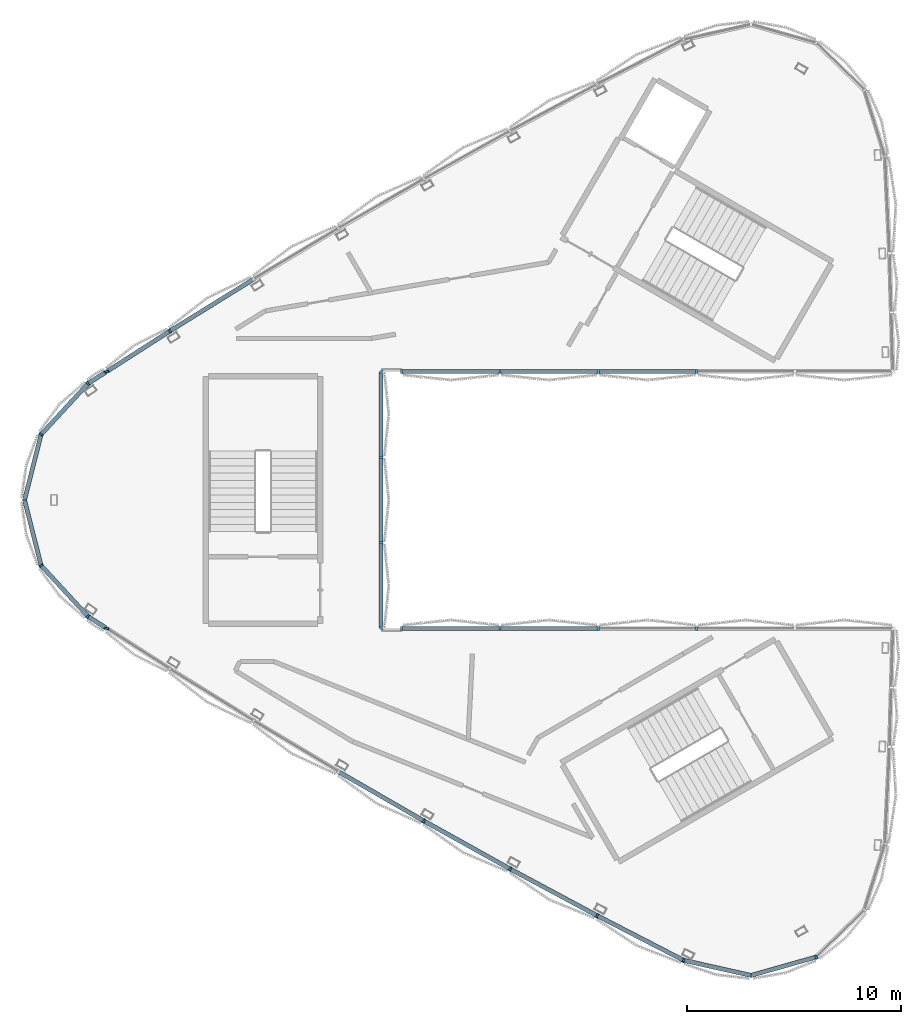
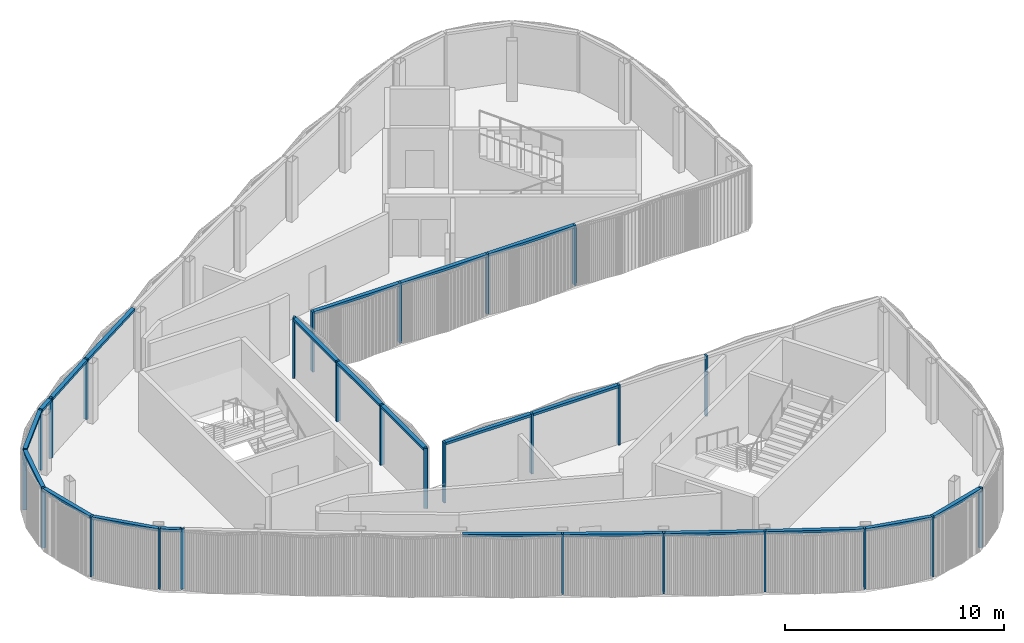
# One storey, part 3 of 16: 43 members, 3 elements without a shape of their own.
"""IFC4 building model written with IfcOpenShell, lengths in metres."""

from ifc_helpers import new_model, si_unit, direction, frame, origin, origin_2d, place, context, subcontext, project, spatial, rectangle, extrude, material, material_profile, profile_set, type_object, element, aggregate, save


model = new_model("IFC4")

# Units and contexts
model_context = context("Model", 3, precision=1e-05, world=origin(), true_north=direction((0.0, 1.0)))
body_context = subcontext(model_context, "Body", "Model", "MODEL_VIEW")
ifc_project = project(units=[si_unit("LENGTHUNIT", "METRE"), si_unit("AREAUNIT", "SQUARE_METRE"), si_unit("VOLUMEUNIT", "CUBIC_METRE"), si_unit("PLANEANGLEUNIT", "RADIAN"), si_unit("MASSUNIT", "GRAM", prefix="KILO")], contexts=[model_context])

# Site, building, storey
site_placement = place(None, origin())
site = spatial("IfcSite", under=ifc_project, at=site_placement, CompositionType="ELEMENT")
building_placement = place(site_placement, origin())
building = spatial("IfcBuilding", under=site, at=building_placement, Name="Tamra Quay Hotel Tower", CompositionType="ELEMENT")
storey_placement = place(building_placement, frame((0.0, 0.0, 324.199951171875)))
storey = spatial("IfcBuildingStorey", under=building, at=storey_placement, Name="Roof crown 2", CompositionType="ELEMENT", Elevation=324.199951171875)

# Curtain wall, members
ifc_material = material(Name="Aluminium 6063 anodised dark grey", Category="aluminium")
curtain_wall_type = type_object("IfcCurtainWallType", Name="CW6 CURTAIN WALL", PredefinedType="NOTDEFINED", material=ifc_material)
curtain_wall_1_placement = place(storey_placement, origin())
curtain_wall_1 = element("IfcCurtainWall", 1, at=curtain_wall_1_placement, inside=storey, type_object=curtain_wall_type, Name="CW6 lantern A face Roof crown 2", PredefinedType="NOTDEFINED")
ifc_material_profile_1 = material_profile(ifc_material, rectangle(XDim=0.199951171875, YDim=0.10009765625, at=origin_2d()), Name="MULLION 100X200")
ifc_profile_set_1 = profile_set([ifc_material_profile_1], Name="Aluminium 6063 anodised dark grey")
member_type_1 = type_object("IfcMemberType", Name="MULLION CW6", PredefinedType="MULLION", material=ifc_profile_set_1)
member_1_placement = place(storey_placement, frame((-17.867919921875, 7.89111328125, 0.0), z_axis=(0.0, 0.0, 1.0), x_axis=(-0.533422330848, 0.845849050926, 0.0)))
member_1 = element("IfcMember", 2, at=member_1_placement, type_object=member_type_1, Name="CW6 mullion Roof crown 2.A.12", PredefinedType="MULLION", context=body_context, shape_type="SweptSolid", body=[
    extrude(rectangle(XDim=0.199951171875, YDim=0.10009765625, at=origin_2d()), origin(), (0.0, 0.0, 1.0), 3.35009765625),
])
member_2_placement = place(storey_placement, frame((-20.815673828125, 6.0, 0.0), z_axis=(0.0, 0.0, 1.0), x_axis=(-0.959600167912, -0.281367229333, 0.0)))
member_2 = element("IfcMember", 3, at=member_2_placement, type_object=member_type_1, Name="CW6 mullion Roof crown 2.A.13", PredefinedType="MULLION", context=body_context, shape_type="SweptSolid", body=[
    extrude(rectangle(XDim=0.199951171875, YDim=0.10009765625, at=origin_2d()), origin(), (0.0, 0.0, 1.0), 3.35009765625),
])
member_3_placement = place(storey_placement, frame((-7.037353515625, 6.0, 0.0), z_axis=(0.0, 0.0, 1.0), x_axis=(0.0, -1.0, 0.0)))
member_3 = element("IfcMember", 4, at=member_3_placement, type_object=member_type_1, Name="CW6 mullion Roof crown 2.A.13", PredefinedType="MULLION", context=body_context, shape_type="SweptSolid", body=[
    extrude(rectangle(XDim=0.199951171875, YDim=0.10009765625, at=origin_2d()), origin(), (0.0, 0.0, 1.0), 3.35009765625),
])
member_4_placement = place(storey_placement, frame((-2.444580078125, 6.0, 0.0), z_axis=(0.0, 0.0, 1.0), x_axis=(0.0, -1.0, 0.0)))
member_4 = element("IfcMember", 5, at=member_4_placement, type_object=member_type_1, Name="CW6 mullion Roof crown 2.A.14", PredefinedType="MULLION", context=body_context, shape_type="SweptSolid", body=[
    extrude(rectangle(XDim=0.199951171875, YDim=0.10009765625, at=origin_2d()), origin(), (0.0, 0.0, 1.0), 3.35009765625),
])
member_5_placement = place(storey_placement, frame((2.148193359375, 6.0, 0.0), z_axis=(0.0, 0.0, 1.0), x_axis=(0.0, -1.0, 0.0)))
member_5 = element("IfcMember", 6, at=member_5_placement, type_object=member_type_1, Name="CW6 mullion Roof crown 2.A.15", PredefinedType="MULLION", context=body_context, shape_type="SweptSolid", body=[
    extrude(rectangle(XDim=0.199951171875, YDim=0.10009765625, at=origin_2d()), origin(), (0.0, 0.0, 1.0), 3.35009765625),
])
member_6_placement = place(storey_placement, frame((6.740966796875, 6.0, 0.0), z_axis=(0.0, 0.0, 1.0), x_axis=(0.0, -1.0, 0.0)))
member_6 = element("IfcMember", 7, at=member_6_placement, type_object=member_type_1, Name="CW6 mullion Roof crown 2.A.16", PredefinedType="MULLION", context=body_context, shape_type="SweptSolid", body=[
    extrude(rectangle(XDim=0.199951171875, YDim=0.10009765625, at=origin_2d()), origin(), (0.0, 0.0, 1.0), 3.35009765625),
])

curtain_wall_2_placement = place(storey_placement, origin())
curtain_wall_2 = element("IfcCurtainWall", 8, at=curtain_wall_2_placement, inside=storey, type_object=curtain_wall_type, Name="CW6 lantern B face Roof crown 2", PredefinedType="NOTDEFINED")
member_7_placement = place(storey_placement, frame((6.740966796875, -6.0, 0.0), z_axis=(0.0, 0.0, 1.0), x_axis=(0.0, 1.0, 0.0)))
member_7 = element("IfcMember", 9, at=member_7_placement, type_object=member_type_1, Name="CW6 mullion Roof crown 2.B.3", PredefinedType="MULLION", context=body_context, shape_type="SweptSolid", body=[
    extrude(rectangle(XDim=0.199951171875, YDim=0.10009765625, at=origin_2d()), origin(), (0.0, 0.0, 1.0), 3.35009765625),
])
member_8_placement = place(storey_placement, frame((2.148193359375, -6.0, 0.0), z_axis=(0.0, 0.0, 1.0), x_axis=(0.0, 1.0, 0.0)))
member_8 = element("IfcMember", 10, at=member_8_placement, type_object=member_type_1, Name="CW6 mullion Roof crown 2.B.4", PredefinedType="MULLION", context=body_context, shape_type="SweptSolid", body=[
    extrude(rectangle(XDim=0.199951171875, YDim=0.10009765625, at=origin_2d()), origin(), (0.0, 0.0, 1.0), 3.35009765625),
])
member_9_placement = place(storey_placement, frame((-2.444580078125, -6.0, 0.0), z_axis=(0.0, 0.0, 1.0), x_axis=(0.0, 1.0, 0.0)))
member_9 = element("IfcMember", 11, at=member_9_placement, type_object=member_type_1, Name="CW6 mullion Roof crown 2.B.5", PredefinedType="MULLION", context=body_context, shape_type="SweptSolid", body=[
    extrude(rectangle(XDim=0.199951171875, YDim=0.10009765625, at=origin_2d()), origin(), (0.0, 0.0, 1.0), 3.35009765625),
])
member_10_placement = place(storey_placement, frame((-7.037353515625, -6.0, 0.0), z_axis=(0.0, 0.0, 1.0), x_axis=(0.0, 1.0, 0.0)))
member_10 = element("IfcMember", 12, at=member_10_placement, type_object=member_type_1, Name="CW6 mullion Roof crown 2.B.6", PredefinedType="MULLION", context=body_context, shape_type="SweptSolid", body=[
    extrude(rectangle(XDim=0.199951171875, YDim=0.10009765625, at=origin_2d()), origin(), (0.0, 0.0, 1.0), 3.35009765625),
])
member_11_placement = place(storey_placement, frame((-20.815673828125, -6.0, 0.0), z_axis=(0.0, 0.0, 1.0), x_axis=(-0.959600167912, 0.281367229333, 0.0)))
member_11 = element("IfcMember", 13, at=member_11_placement, type_object=member_type_1, Name="CW6 mullion Roof crown 2.B.6", PredefinedType="MULLION", context=body_context, shape_type="SweptSolid", body=[
    extrude(rectangle(XDim=0.199951171875, YDim=0.10009765625, at=origin_2d()), origin(), (0.0, 0.0, 1.0), 3.35009765625),
])
member_12_placement = place(storey_placement, frame((-5.99462890625, -14.995849609375, 0.0), z_axis=(0.0, 0.0, 1.0), x_axis=(-0.493215722033, -0.869907036148, 0.0)))
member_12 = element("IfcMember", 14, at=member_12_placement, type_object=member_type_1, Name="CW6 mullion Roof crown 2.B.10", PredefinedType="MULLION", context=body_context, shape_type="SweptSolid", body=[
    extrude(rectangle(XDim=0.199951171875, YDim=0.10009765625, at=origin_2d()), origin(), (0.0, 0.0, 1.0), 3.35009765625),
])
member_13_placement = place(storey_placement, frame((-1.96435546875, -17.239501953125, 0.0), z_axis=(0.0, 0.0, 1.0), x_axis=(-0.479565116943, -0.877506295483, 0.0)))
member_13 = element("IfcMember", 15, at=member_13_placement, type_object=member_type_1, Name="CW6 mullion Roof crown 2.B.11", PredefinedType="MULLION", context=body_context, shape_type="SweptSolid", body=[
    extrude(rectangle(XDim=0.199951171875, YDim=0.10009765625, at=origin_2d()), origin(), (0.0, 0.0, 1.0), 3.35009765625),
])
member_14_placement = place(storey_placement, frame((2.10009765625, -19.419677734375, 0.0), z_axis=(0.0, 0.0, 1.0), x_axis=(-0.465815600445, -0.884881814923, 0.0)))
member_14 = element("IfcMember", 16, at=member_14_placement, type_object=member_type_1, Name="CW6 mullion Roof crown 2.B.12", PredefinedType="MULLION", context=body_context, shape_type="SweptSolid", body=[
    extrude(rectangle(XDim=0.199951171875, YDim=0.10009765625, at=origin_2d()), origin(), (0.0, 0.0, 1.0), 3.35009765625),
])
member_15_placement = place(storey_placement, frame((6.134033203125, -21.503173828125, 0.0), z_axis=(0.0, 0.0, 1.0), x_axis=(-0.341653426177, -0.939826013888, 0.0)))
member_15 = element("IfcMember", 17, at=member_15_placement, type_object=member_type_1, Name="CW6 mullion Roof crown 2.B.13", PredefinedType="MULLION", context=body_context, shape_type="SweptSolid", body=[
    extrude(rectangle(XDim=0.199951171875, YDim=0.10009765625, at=origin_2d()), origin(), (0.0, 0.0, 1.0), 3.35009765625),
])
member_16_placement = place(storey_placement, frame((9.288330078125, -22.21044921875, 0.0), z_axis=(0.0, 0.0, 1.0), x_axis=(0.027468865497, -0.999622659521, 0.0)))
member_16 = element("IfcMember", 18, at=member_16_placement, type_object=member_type_1, Name="CW6 mullion Roof crown 2.B.14", PredefinedType="MULLION", context=body_context, shape_type="SweptSolid", body=[
    extrude(rectangle(XDim=0.199951171875, YDim=0.10009765625, at=origin_2d()), origin(), (0.0, 0.0, 1.0), 3.35009765625),
])
member_17_placement = place(storey_placement, frame((12.3271484375, -21.351318359375, 0.0), z_axis=(0.0, 0.0, 1.0), x_axis=(0.5, -0.866025403784, 0.0)))
member_17 = element("IfcMember", 19, at=member_17_placement, type_object=member_type_1, Name="CW6 mullion Roof crown 2.B.15", PredefinedType="MULLION", context=body_context, shape_type="SweptSolid", body=[
    extrude(rectangle(XDim=0.199951171875, YDim=0.10009765625, at=origin_2d()), origin(), (0.0, 0.0, 1.0), 3.35009765625),
])

curtain_wall_3_placement = place(storey_placement, origin())
curtain_wall_3 = element("IfcCurtainWall", 20, at=curtain_wall_3_placement, inside=storey, type_object=curtain_wall_type, Name="CW6 lantern C face Roof crown 2", PredefinedType="NOTDEFINED")
member_18_placement = place(storey_placement, frame((-21.689208984375, -5.439453125, 0.0), z_axis=(0.0, 0.0, 1.0), x_axis=(-0.643086490076, -0.765793553304, 0.0)))
member_18 = element("IfcMember", 21, at=member_18_placement, type_object=member_type_1, Name="CW6 mullion Roof crown 2.C.1", PredefinedType="MULLION", context=body_context, shape_type="SweptSolid", body=[
    extrude(rectangle(XDim=0.199951171875, YDim=0.10009765625, at=origin_2d()), origin(), (0.0, 0.0, 1.0), 3.35009765625),
])
member_19_placement = place(storey_placement, frame((-8.0, -6.0, 0.0), z_axis=(0.0, 0.0, 1.0), x_axis=(0.707106781187, -0.707106781187, 0.0)))
member_19 = element("IfcMember", 22, at=member_19_placement, type_object=member_type_1, Name="CW6 mullion Roof crown 2.C.2", PredefinedType="MULLION", context=body_context, shape_type="SweptSolid", body=[
    extrude(rectangle(XDim=0.199951171875, YDim=0.10009765625, at=origin_2d()), origin(), (0.0, 0.0, 1.0), 3.35009765625),
])
member_20_placement = place(storey_placement, frame((-8.0, -2.0, 0.0), z_axis=(0.0, 0.0, 1.0), x_axis=(1.0, 0.0, 0.0)))
member_20 = element("IfcMember", 23, at=member_20_placement, type_object=member_type_1, Name="CW6 mullion Roof crown 2.C.3", PredefinedType="MULLION", context=body_context, shape_type="SweptSolid", body=[
    extrude(rectangle(XDim=0.199951171875, YDim=0.10009765625, at=origin_2d()), origin(), (0.0, 0.0, 1.0), 3.35009765625),
])
member_21_placement = place(storey_placement, frame((-8.0, 2.0, 0.0), z_axis=(0.0, 0.0, 1.0), x_axis=(1.0, 0.0, 0.0)))
member_21 = element("IfcMember", 24, at=member_21_placement, type_object=member_type_1, Name="CW6 mullion Roof crown 2.C.4", PredefinedType="MULLION", context=body_context, shape_type="SweptSolid", body=[
    extrude(rectangle(XDim=0.199951171875, YDim=0.10009765625, at=origin_2d()), origin(), (0.0, 0.0, 1.0), 3.35009765625),
])
member_22_placement = place(storey_placement, frame((-8.0, 6.0, 0.0), z_axis=(0.0, 0.0, 1.0), x_axis=(0.707106781187, 0.707106781187, 0.0)))
member_22 = element("IfcMember", 25, at=member_22_placement, type_object=member_type_1, Name="CW6 mullion Roof crown 2.C.5", PredefinedType="MULLION", context=body_context, shape_type="SweptSolid", body=[
    extrude(rectangle(XDim=0.199951171875, YDim=0.10009765625, at=origin_2d()), origin(), (0.0, 0.0, 1.0), 3.35009765625),
])
member_23_placement = place(storey_placement, frame((-21.689208984375, 5.439453125, 0.0), z_axis=(0.0, 0.0, 1.0), x_axis=(-0.643086490076, 0.765793553304, 0.0)))
member_23 = element("IfcMember", 26, at=member_23_placement, type_object=member_type_1, Name="CW6 mullion Roof crown 2.C.6", PredefinedType="MULLION", context=body_context, shape_type="SweptSolid", body=[
    extrude(rectangle(XDim=0.199951171875, YDim=0.10009765625, at=origin_2d()), origin(), (0.0, 0.0, 1.0), 3.35009765625),
])
member_24_placement = place(storey_placement, frame((-23.879150390625, 3.061279296875, 0.0), z_axis=(0.0, 0.0, 1.0), x_axis=(-0.879433050093, 0.476022594427, 0.0)))
member_24 = element("IfcMember", 27, at=member_24_placement, type_object=member_type_1, Name="CW6 mullion Roof crown 2.C.7", PredefinedType="MULLION", context=body_context, shape_type="SweptSolid", body=[
    extrude(rectangle(XDim=0.199951171875, YDim=0.10009765625, at=origin_2d()), origin(), (0.0, 0.0, 1.0), 3.35009765625),
])
member_25_placement = place(storey_placement, frame((-24.654541015625, 0.0, 0.0), z_axis=(0.0, 0.0, 1.0), x_axis=(-1.0, 0.0, 0.0)))
member_25 = element("IfcMember", 28, at=member_25_placement, type_object=member_type_1, Name="CW6 mullion Roof crown 2.C.8", PredefinedType="MULLION", context=body_context, shape_type="SweptSolid", body=[
    extrude(rectangle(XDim=0.199951171875, YDim=0.10009765625, at=origin_2d()), origin(), (0.0, 0.0, 1.0), 3.35009765625),
])
member_26_placement = place(storey_placement, frame((-23.879150390625, -3.061279296875, 0.0), z_axis=(0.0, 0.0, 1.0), x_axis=(-0.879433050093, -0.476022594427, 0.0)))
member_26 = element("IfcMember", 29, at=member_26_placement, type_object=member_type_1, Name="CW6 mullion Roof crown 2.C.9", PredefinedType="MULLION", context=body_context, shape_type="SweptSolid", body=[
    extrude(rectangle(XDim=0.199951171875, YDim=0.10009765625, at=origin_2d()), origin(), (0.0, 0.0, 1.0), 3.35009765625),
])

# Member
ifc_material_profile_2 = material_profile(ifc_material, rectangle(XDim=0.199951171875, YDim=0.139892578125, at=origin_2d()), Name="TRANSOM 200X140")
ifc_profile_set_2 = profile_set([ifc_material_profile_2], Name="Aluminium 6063 anodised dark grey")
member_type_2 = type_object("IfcMemberType", Name="TRANSOM CW6", PredefinedType="USERDEFINED", material=ifc_profile_set_2)
member_27_placement = place(storey_placement, frame((-13.989990234375, 10.294677734375, 3.280029296875), z_axis=(-0.849980220175, -0.526814602409, 0.0), x_axis=(0.526814602409, -0.849980220175, 0.0)))
member_27 = element("IfcMember", 30, at=member_27_placement, type_object=member_type_2, Name="CW6 transom Roof crown 2.A.11", ObjectType="TRANSOM", PredefinedType="USERDEFINED", context=body_context, shape_type="SweptSolid", body=[
    extrude(rectangle(XDim=0.199951171875, YDim=0.139892578125, at=origin_2d()), origin(), (0.0, 0.0, 1.0), 4.512451171875),
])

member_28_placement = place(storey_placement, frame((-17.909912109375, 7.8642578125, 3.280029296875), z_axis=(-0.841670083092, -0.53999210293, 0.0), x_axis=(0.53999210293, -0.841670083092, 0.0)))
member_28 = element("IfcMember", 31, at=member_28_placement, type_object=member_type_2, Name="CW6 transom Roof crown 2.A.12", ObjectType="TRANSOM", PredefinedType="USERDEFINED", context=body_context, shape_type="SweptSolid", body=[
    extrude(rectangle(XDim=0.199951171875, YDim=0.139892578125, at=origin_2d()), origin(), (0.0, 0.0, 1.0), 3.402099609375),
])

member_29_placement = place(storey_placement, frame((-6.9873046875, 6.0, 3.280029296875), z_axis=(1.0, 0.0, 0.0), x_axis=(0.0, 1.0, 0.0)))
member_29 = element("IfcMember", 32, at=member_29_placement, type_object=member_type_2, Name="CW6 transom Roof crown 2.A.13", ObjectType="TRANSOM", PredefinedType="USERDEFINED", context=body_context, shape_type="SweptSolid", body=[
    extrude(rectangle(XDim=0.199951171875, YDim=0.139892578125, at=origin_2d()), origin(), (0.0, 0.0, 1.0), 13.67822265625),
])

aggregate(curtain_wall_1, [member_27, member_1, member_28, member_2, member_3, member_29, member_4, member_5, member_6])

member_30_placement = place(storey_placement, frame((2.09814453125, -6.0, 3.280029296875), z_axis=(-1.0, 0.0, 0.0), x_axis=(0.0, -1.0, 0.0)))
member_30 = element("IfcMember", 33, at=member_30_placement, type_object=member_type_2, Name="CW6 transom Roof crown 2.B.4", ObjectType="TRANSOM", PredefinedType="USERDEFINED", context=body_context, shape_type="SweptSolid", body=[
    extrude(rectangle(XDim=0.199951171875, YDim=0.139892578125, at=origin_2d()), origin(), (0.0, 0.0, 1.0), 9.08544921875),
])

member_31_placement = place(storey_placement, frame((-9.946044921875, -12.71435546875, 3.280029296875), z_axis=(0.86601710485, -0.5000143739, 0.0), x_axis=(0.5000143739, 0.86601710485, 0.0)))
member_31 = element("IfcMember", 34, at=member_31_placement, type_object=member_type_2, Name="CW6 transom Roof crown 2.B.9", ObjectType="TRANSOM", PredefinedType="USERDEFINED", context=body_context, shape_type="SweptSolid", body=[
    extrude(rectangle(XDim=0.199951171875, YDim=0.139892578125, at=origin_2d()), origin(), (0.0, 0.0, 1.0), 4.512451171875),
])

member_32_placement = place(storey_placement, frame((-5.950927734375, -15.02001953125, 3.280029296875), z_axis=(0.8737256573, -0.486419033114, 0.0), x_axis=(0.486419033114, 0.8737256573, 0.0)))
member_32 = element("IfcMember", 35, at=member_32_placement, type_object=member_type_2, Name="CW6 transom Roof crown 2.B.10", ObjectType="TRANSOM", PredefinedType="USERDEFINED", context=body_context, shape_type="SweptSolid", body=[
    extrude(rectangle(XDim=0.199951171875, YDim=0.139892578125, at=origin_2d()), origin(), (0.0, 0.0, 1.0), 4.5126953125),
])

member_33_placement = place(storey_placement, frame((-1.92041015625, -17.262939453125, 3.280029296875), z_axis=(0.881213593075, -0.47271831293, 0.0), x_axis=(0.47271831293, 0.881213593075, 0.0)))
member_33 = element("IfcMember", 36, at=member_33_placement, type_object=member_type_2, Name="CW6 transom Roof crown 2.B.11", ObjectType="TRANSOM", PredefinedType="USERDEFINED", context=body_context, shape_type="SweptSolid", body=[
    extrude(rectangle(XDim=0.199951171875, YDim=0.139892578125, at=origin_2d()), origin(), (0.0, 0.0, 1.0), 4.51220703125),
])

member_34_placement = place(storey_placement, frame((2.14453125, -19.442626953125, 3.280029296875), z_axis=(0.888489056093, -0.458897806928, 0.0), x_axis=(0.458897806928, 0.888489056093, 0.0)))
member_34 = element("IfcMember", 37, at=member_34_placement, type_object=member_type_2, Name="CW6 transom Roof crown 2.B.12", ObjectType="TRANSOM", PredefinedType="USERDEFINED", context=body_context, shape_type="SweptSolid", body=[
    extrude(rectangle(XDim=0.199951171875, YDim=0.139892578125, at=origin_2d()), origin(), (0.0, 0.0, 1.0), 4.440185546875),
])

member_35_placement = place(storey_placement, frame((6.182861328125, -21.51416015625, 3.280029296875), z_axis=(0.97575974355, -0.218844517563, 0.0), x_axis=(0.218844517563, 0.97575974355, 0.0)))
member_35 = element("IfcMember", 38, at=member_35_placement, type_object=member_type_2, Name="CW6 transom Roof crown 2.B.13", ObjectType="TRANSOM", PredefinedType="USERDEFINED", context=body_context, shape_type="SweptSolid", body=[
    extrude(rectangle(XDim=0.199951171875, YDim=0.139892578125, at=origin_2d()), origin(), (0.0, 0.0, 1.0), 3.132568359375),
])

member_36_placement = place(storey_placement, frame((9.33642578125, -22.197021484375, 3.280029296875), z_axis=(0.962273511824, 0.272083973143, 0.0), x_axis=(-0.272083973143, 0.962273511824, 0.0)))
member_36 = element("IfcMember", 39, at=member_36_placement, type_object=member_type_2, Name="CW6 transom Roof crown 2.B.14", ObjectType="TRANSOM", PredefinedType="USERDEFINED", context=body_context, shape_type="SweptSolid", body=[
    extrude(rectangle(XDim=0.199951171875, YDim=0.139892578125, at=origin_2d()), origin(), (0.0, 0.0, 1.0), 3.05810546875),
])

aggregate(curtain_wall_2, [member_7, member_8, member_30, member_9, member_10, member_11, member_31, member_12, member_32, member_13, member_33, member_14, member_34, member_15, member_35, member_16, member_36, member_17])

member_37_placement = place(storey_placement, frame((-21.647216796875, -5.46630859375, 3.280029296875), z_axis=(0.841651678123, -0.540020789148, 0.0), x_axis=(0.540020789148, 0.841651678123, 0.0)))
member_37 = element("IfcMember", 40, at=member_37_placement, type_object=member_type_2, Name="CW6 transom Roof crown 2.C.1", ObjectType="TRANSOM", PredefinedType="USERDEFINED", context=body_context, shape_type="SweptSolid", body=[
    extrude(rectangle(XDim=0.199951171875, YDim=0.139892578125, at=origin_2d()), origin(), (0.0, 0.0, 1.0), 0.93798828125),
])

member_38_placement = place(storey_placement, frame((-8.0, -5.949951171875, 3.280029296875), z_axis=(0.0, 1.0, 0.0), x_axis=(-1.0, 0.0, 0.0)))
member_38 = element("IfcMember", 41, at=member_38_placement, type_object=member_type_2, Name="CW6 transom Roof crown 2.C.2", ObjectType="TRANSOM", PredefinedType="USERDEFINED", context=body_context, shape_type="SweptSolid", body=[
    extrude(rectangle(XDim=0.199951171875, YDim=0.139892578125, at=origin_2d()), origin(), (0.0, 0.0, 1.0), 11.89990234375),
])

member_39_placement = place(storey_placement, frame((-20.857666015625, 5.972900390625, 3.280029296875), z_axis=(-0.841651678123, -0.540020789148, 0.0), x_axis=(0.540020789148, -0.841651678123, 0.0)))
member_39 = element("IfcMember", 42, at=member_39_placement, type_object=member_type_2, Name="CW6 transom Roof crown 2.C.5", ObjectType="TRANSOM", PredefinedType="USERDEFINED", context=body_context, shape_type="SweptSolid", body=[
    extrude(rectangle(XDim=0.199951171875, YDim=0.139892578125, at=origin_2d()), origin(), (0.0, 0.0, 1.0), 0.93798828125),
])

member_40_placement = place(storey_placement, frame((-21.72314453125, 5.402587890625, 3.280029296875), z_axis=(-0.677399189822, -0.735615618124, 0.0), x_axis=(0.735615618124, -0.677399189822, 0.0)))
member_40 = element("IfcMember", 43, at=member_40_placement, type_object=member_type_2, Name="CW6 transom Roof crown 2.C.6", ObjectType="TRANSOM", PredefinedType="USERDEFINED", context=body_context, shape_type="SweptSolid", body=[
    extrude(rectangle(XDim=0.199951171875, YDim=0.139892578125, at=origin_2d()), origin(), (0.0, 0.0, 1.0), 3.132568359375),
])

member_41_placement = place(storey_placement, frame((-23.891357421875, 3.012939453125, 3.280029296875), z_axis=(-0.245502593991, -0.969395933736, 0.0), x_axis=(0.969395933736, -0.245502593991, 0.0)))
member_41 = element("IfcMember", 44, at=member_41_placement, type_object=member_type_2, Name="CW6 transom Roof crown 2.C.7", ObjectType="TRANSOM", PredefinedType="USERDEFINED", context=body_context, shape_type="SweptSolid", body=[
    extrude(rectangle(XDim=0.199951171875, YDim=0.139892578125, at=origin_2d()), origin(), (0.0, 0.0, 1.0), 3.057861328125),
])

member_42_placement = place(storey_placement, frame((-24.64208984375, -0.048583984375, 3.280029296875), z_axis=(0.245502593991, -0.969395933736, 0.0), x_axis=(0.969395933736, 0.245502593991, 0.0)))
member_42 = element("IfcMember", 45, at=member_42_placement, type_object=member_type_2, Name="CW6 transom Roof crown 2.C.8", ObjectType="TRANSOM", PredefinedType="USERDEFINED", context=body_context, shape_type="SweptSolid", body=[
    extrude(rectangle(XDim=0.199951171875, YDim=0.139892578125, at=origin_2d()), origin(), (0.0, 0.0, 1.0), 3.057861328125),
])

member_43_placement = place(storey_placement, frame((-23.84521484375, -3.09814453125, 3.280029296875), z_axis=(0.677399189822, -0.735615618124, 0.0), x_axis=(0.735615618124, 0.677399189822, 0.0)))
member_43 = element("IfcMember", 46, at=member_43_placement, type_object=member_type_2, Name="CW6 transom Roof crown 2.C.9", ObjectType="TRANSOM", PredefinedType="USERDEFINED", context=body_context, shape_type="SweptSolid", body=[
    extrude(rectangle(XDim=0.199951171875, YDim=0.139892578125, at=origin_2d()), origin(), (0.0, 0.0, 1.0), 3.132568359375),
])

aggregate(curtain_wall_3, [member_18, member_37, member_19, member_38, member_20, member_21, member_22, member_39, member_23, member_40, member_24, member_41, member_25, member_42, member_26, member_43])

save(model, "model.ifc")
